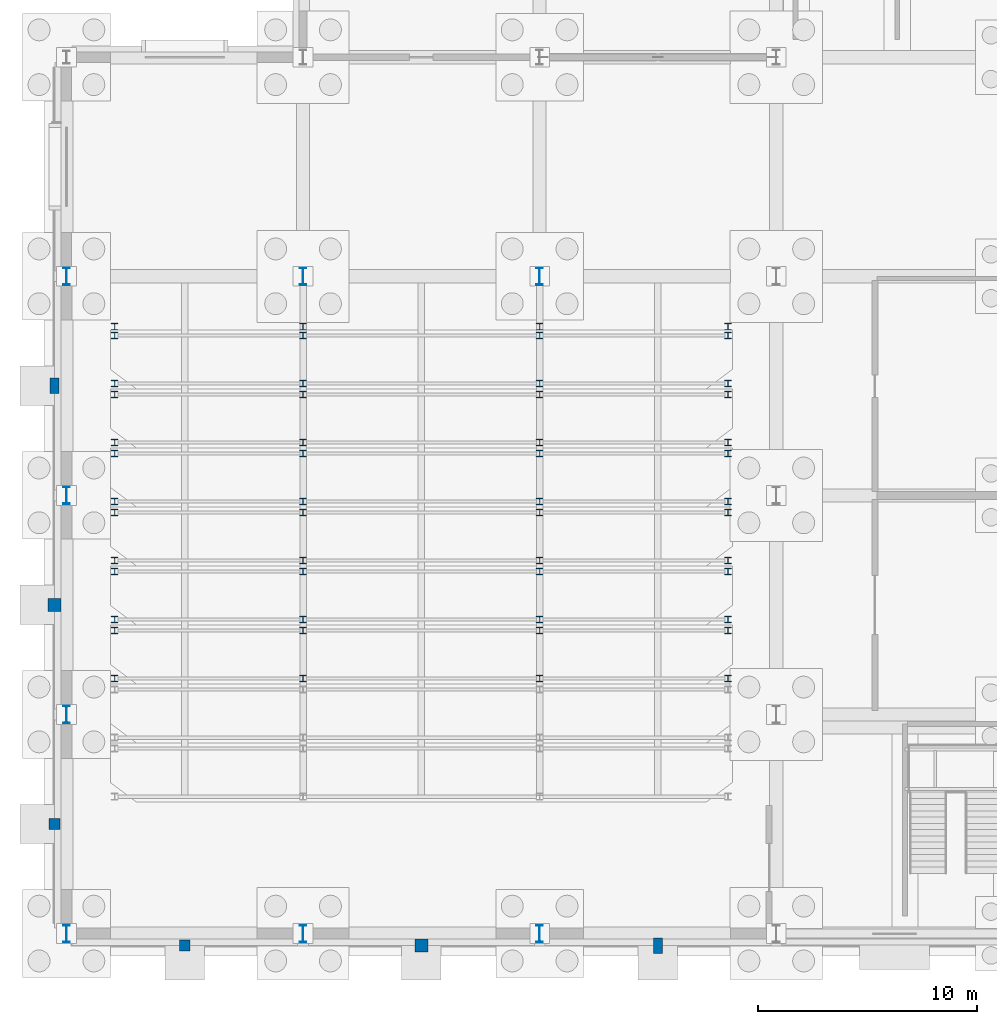
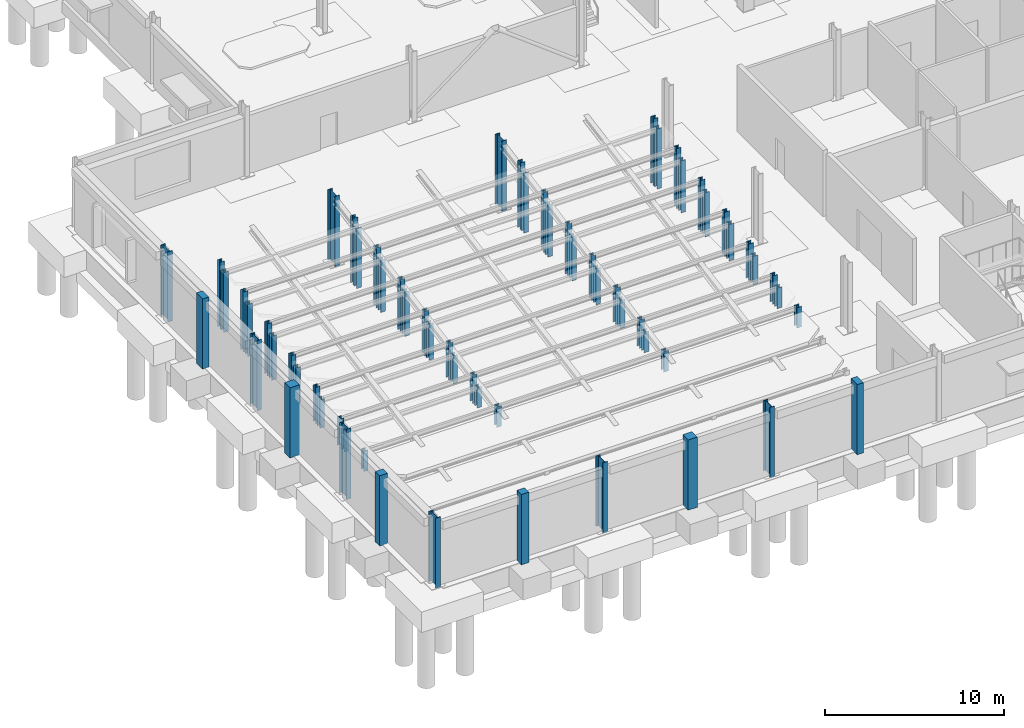
# One storey, part 8 of 73: 66 columns.
"""IFC4 building model written with IfcOpenShell, lengths in metres."""

from ifc_helpers import new_model, si_unit, direction, frame, origin, origin_2d, place, context, subcontext, project, spatial, rectangle, i_section, extrude, material, material_profile, profile_set, type_object, element, save


model = new_model("IFC4")

# Units and contexts
model_context = context("Model", 3, precision=1e-05, world=origin(), true_north=direction((0.0, 1.0)))
body_context = subcontext(model_context, "Body", "Model", "MODEL_VIEW")
ifc_project = project(units=[si_unit("LENGTHUNIT", "METRE"), si_unit("AREAUNIT", "SQUARE_METRE"), si_unit("VOLUMEUNIT", "CUBIC_METRE"), si_unit("PLANEANGLEUNIT", "RADIAN"), si_unit("MASSUNIT", "GRAM", prefix="KILO")], contexts=[model_context])

# Site, building, storey
site_placement = place(None, origin())
site = spatial("IfcSite", under=ifc_project, at=site_placement, CompositionType="ELEMENT")
building_placement = place(site_placement, origin())
building = spatial("IfcBuilding", under=site, at=building_placement, Name="Tasgan Crest Museum", CompositionType="ELEMENT")
storey_placement = place(building_placement, origin())
storey = spatial("IfcBuildingStorey", under=building, at=storey_placement, Name="L00", CompositionType="ELEMENT", Elevation=0.0)

# Columns
ifc_material_1 = material(Name="Steel S355J2", Category="steel")
ifc_material_profile_1 = material_profile(ifc_material_1, i_section(OverallWidth=0.300048828125, OverallDepth=0.300048828125, WebThickness=0.010986328125, FlangeThickness=0.01904296875, FilletRadius=0.027099609375, at=origin_2d()), Name="HEB 300")
ifc_profile_set_1 = profile_set([ifc_material_profile_1], Name="Steel S355J2")
column_type_1 = type_object("IfcColumnType", Name="COL-HEB300", PredefinedType="COLUMN", material=ifc_profile_set_1)
for number, where, z_axis, x_axis, name in (
    (1, (2.199951171875, 27.699951171875, 0.0), (0.0, 0.0, 1.0), (1.0, 0.0, 0.0), "Auditorium balcony support post X=2.2"),
    (2, (10.800048828125, 27.699951171875, 0.0), (0.0, 0.0, 1.0), (1.0, 0.0, 0.0), "Auditorium balcony support post X=10.8"),
    (3, (21.60009765625, 27.699951171875, 0.0), (0.0, 0.0, 1.0), (1.0, 0.0, 0.0), "Auditorium balcony support post X=21.6"),
    (4, (30.199951171875, 27.699951171875, 0.0), (0.0, 0.0, 1.0), (1.0, 0.0, 0.0), "Auditorium balcony support post X=30.2"),
):
    element("IfcColumn", number, at=place(storey_placement, frame(where, z_axis=z_axis, x_axis=x_axis)), inside=storey, type_object=column_type_1, Name=name, PredefinedType="COLUMN", context=body_context, shape_type="SweptSolid", body=[
        extrude(i_section(OverallWidth=0.300048828125, OverallDepth=0.300048828125, WebThickness=0.010986328125, FlangeThickness=0.01904296875, FilletRadius=0.027099609375, at=origin_2d()), origin(), (0.0, 0.0, 1.0), 4.56005859375),
    ])
for number, where, z_axis, x_axis, name in (
    (5, (2.199951171875, 11.637451171875, 0.0), (0.0, 0.0, 1.0), (1.0, 0.0, 0.0), "Auditorium tier support post T3 F X=2.2"),
    (6, (10.800048828125, 11.637451171875, 0.0), (0.0, 0.0, 1.0), (1.0, 0.0, 0.0), "Auditorium tier support post T3 F X=10.8"),
    (7, (21.60009765625, 11.637451171875, 0.0), (0.0, 0.0, 1.0), (1.0, 0.0, 0.0), "Auditorium tier support post T3 F X=21.6"),
    (8, (30.199951171875, 11.637451171875, 0.0), (0.0, 0.0, 1.0), (1.0, 0.0, 0.0), "Auditorium tier support post T3 F X=30.2"),
    (9, (2.199951171875, 13.831298828125, 0.0), (0.0, 0.0, 1.0), (1.0, 0.0, 0.0), "Auditorium tier support post T3 B X=2.2"),
    (10, (10.800048828125, 13.831298828125, 0.0), (0.0, 0.0, 1.0), (1.0, 0.0, 0.0), "Auditorium tier support post T3 B X=10.8"),
    (11, (21.60009765625, 13.831298828125, 0.0), (0.0, 0.0, 1.0), (1.0, 0.0, 0.0), "Auditorium tier support post T3 B X=21.6"),
    (12, (30.199951171875, 13.831298828125, 0.0), (0.0, 0.0, 1.0), (1.0, 0.0, 0.0), "Auditorium tier support post T3 B X=30.2"),
):
    element("IfcColumn", number, at=place(storey_placement, frame(where, z_axis=z_axis, x_axis=x_axis)), inside=storey, type_object=column_type_1, Name=name, PredefinedType="COLUMN", context=body_context, shape_type="SweptSolid", body=[
        extrude(i_section(OverallWidth=0.300048828125, OverallDepth=0.300048828125, WebThickness=0.010986328125, FlangeThickness=0.01904296875, FilletRadius=0.027099609375, at=origin_2d()), origin(), (0.0, 0.0, 1.0), 1.39990234375),
    ])
for number, where, z_axis, x_axis, name in (
    (13, (2.199951171875, 14.331298828125, 0.0), (0.0, 0.0, 1.0), (1.0, 0.0, 0.0), "Auditorium tier support post T4 F X=2.2"),
    (14, (10.800048828125, 14.331298828125, 0.0), (0.0, 0.0, 1.0), (1.0, 0.0, 0.0), "Auditorium tier support post T4 F X=10.8"),
    (15, (21.60009765625, 14.331298828125, 0.0), (0.0, 0.0, 1.0), (1.0, 0.0, 0.0), "Auditorium tier support post T4 F X=21.6"),
    (16, (30.199951171875, 14.331298828125, 0.0), (0.0, 0.0, 1.0), (1.0, 0.0, 0.0), "Auditorium tier support post T4 F X=30.2"),
    (17, (2.199951171875, 16.52490234375, 0.0), (0.0, 0.0, 1.0), (1.0, 0.0, 0.0), "Auditorium tier support post T4 B X=2.2"),
    (18, (10.800048828125, 16.52490234375, 0.0), (0.0, 0.0, 1.0), (1.0, 0.0, 0.0), "Auditorium tier support post T4 B X=10.8"),
    (19, (21.60009765625, 16.52490234375, 0.0), (0.0, 0.0, 1.0), (1.0, 0.0, 0.0), "Auditorium tier support post T4 B X=21.6"),
    (20, (30.199951171875, 16.52490234375, 0.0), (0.0, 0.0, 1.0), (1.0, 0.0, 0.0), "Auditorium tier support post T4 B X=30.2"),
):
    element("IfcColumn", number, at=place(storey_placement, frame(where, z_axis=z_axis, x_axis=x_axis)), inside=storey, type_object=column_type_1, Name=name, PredefinedType="COLUMN", context=body_context, shape_type="SweptSolid", body=[
        extrude(i_section(OverallWidth=0.300048828125, OverallDepth=0.300048828125, WebThickness=0.010986328125, FlangeThickness=0.01904296875, FilletRadius=0.027099609375, at=origin_2d()), origin(), (0.0, 0.0, 1.0), 1.93994140625),
    ])
for number, where, z_axis, x_axis, name in (
    (21, (2.199951171875, 17.02490234375, 0.0), (0.0, 0.0, 1.0), (1.0, 0.0, 0.0), "Auditorium tier support post T5 F X=2.2"),
    (22, (10.800048828125, 17.02490234375, 0.0), (0.0, 0.0, 1.0), (1.0, 0.0, 0.0), "Auditorium tier support post T5 F X=10.8"),
    (23, (21.60009765625, 17.02490234375, 0.0), (0.0, 0.0, 1.0), (1.0, 0.0, 0.0), "Auditorium tier support post T5 F X=21.6"),
    (24, (30.199951171875, 17.02490234375, 0.0), (0.0, 0.0, 1.0), (1.0, 0.0, 0.0), "Auditorium tier support post T5 F X=30.2"),
    (25, (2.199951171875, 19.21875, 0.0), (0.0, 0.0, 1.0), (1.0, 0.0, 0.0), "Auditorium tier support post T5 B X=2.2"),
    (26, (10.800048828125, 19.21875, 0.0), (0.0, 0.0, 1.0), (1.0, 0.0, 0.0), "Auditorium tier support post T5 B X=10.8"),
    (27, (21.60009765625, 19.21875, 0.0), (0.0, 0.0, 1.0), (1.0, 0.0, 0.0), "Auditorium tier support post T5 B X=21.6"),
    (28, (30.199951171875, 19.21875, 0.0), (0.0, 0.0, 1.0), (1.0, 0.0, 0.0), "Auditorium tier support post T5 B X=30.2"),
):
    element("IfcColumn", number, at=place(storey_placement, frame(where, z_axis=z_axis, x_axis=x_axis)), inside=storey, type_object=column_type_1, Name=name, PredefinedType="COLUMN", context=body_context, shape_type="SweptSolid", body=[
        extrude(i_section(OverallWidth=0.300048828125, OverallDepth=0.300048828125, WebThickness=0.010986328125, FlangeThickness=0.01904296875, FilletRadius=0.027099609375, at=origin_2d()), origin(), (0.0, 0.0, 1.0), 2.47998046875),
    ])
for number, where, z_axis, x_axis, name in (
    (29, (2.199951171875, 19.71875, 0.0), (0.0, 0.0, 1.0), (1.0, 0.0, 0.0), "Auditorium tier support post T6 F X=2.2"),
    (30, (10.800048828125, 19.71875, 0.0), (0.0, 0.0, 1.0), (1.0, 0.0, 0.0), "Auditorium tier support post T6 F X=10.8"),
    (31, (21.60009765625, 19.71875, 0.0), (0.0, 0.0, 1.0), (1.0, 0.0, 0.0), "Auditorium tier support post T6 F X=21.6"),
    (32, (30.199951171875, 19.71875, 0.0), (0.0, 0.0, 1.0), (1.0, 0.0, 0.0), "Auditorium tier support post T6 F X=30.2"),
    (33, (2.199951171875, 21.91259765625, 0.0), (0.0, 0.0, 1.0), (1.0, 0.0, 0.0), "Auditorium tier support post T6 B X=2.2"),
    (34, (10.800048828125, 21.91259765625, 0.0), (0.0, 0.0, 1.0), (1.0, 0.0, 0.0), "Auditorium tier support post T6 B X=10.8"),
    (35, (21.60009765625, 21.91259765625, 0.0), (0.0, 0.0, 1.0), (1.0, 0.0, 0.0), "Auditorium tier support post T6 B X=21.6"),
    (36, (30.199951171875, 21.91259765625, 0.0), (0.0, 0.0, 1.0), (1.0, 0.0, 0.0), "Auditorium tier support post T6 B X=30.2"),
):
    element("IfcColumn", number, at=place(storey_placement, frame(where, z_axis=z_axis, x_axis=x_axis)), inside=storey, type_object=column_type_1, Name=name, PredefinedType="COLUMN", context=body_context, shape_type="SweptSolid", body=[
        extrude(i_section(OverallWidth=0.300048828125, OverallDepth=0.300048828125, WebThickness=0.010986328125, FlangeThickness=0.01904296875, FilletRadius=0.027099609375, at=origin_2d()), origin(), (0.0, 0.0, 1.0), 3.02001953125),
    ])
for number, where, z_axis, x_axis, name in (
    (37, (2.199951171875, 22.41259765625, 0.0), (0.0, 0.0, 1.0), (1.0, 0.0, 0.0), "Auditorium tier support post T7 F X=2.2"),
    (38, (10.800048828125, 22.41259765625, 0.0), (0.0, 0.0, 1.0), (1.0, 0.0, 0.0), "Auditorium tier support post T7 F X=10.8"),
    (39, (21.60009765625, 22.41259765625, 0.0), (0.0, 0.0, 1.0), (1.0, 0.0, 0.0), "Auditorium tier support post T7 F X=21.6"),
    (40, (30.199951171875, 22.41259765625, 0.0), (0.0, 0.0, 1.0), (1.0, 0.0, 0.0), "Auditorium tier support post T7 F X=30.2"),
    (41, (2.199951171875, 24.606201171875, 0.0), (0.0, 0.0, 1.0), (1.0, 0.0, 0.0), "Auditorium tier support post T7 B X=2.2"),
    (42, (10.800048828125, 24.606201171875, 0.0), (0.0, 0.0, 1.0), (1.0, 0.0, 0.0), "Auditorium tier support post T7 B X=10.8"),
    (43, (21.60009765625, 24.606201171875, 0.0), (0.0, 0.0, 1.0), (1.0, 0.0, 0.0), "Auditorium tier support post T7 B X=21.6"),
    (44, (30.199951171875, 24.606201171875, 0.0), (0.0, 0.0, 1.0), (1.0, 0.0, 0.0), "Auditorium tier support post T7 B X=30.2"),
):
    element("IfcColumn", number, at=place(storey_placement, frame(where, z_axis=z_axis, x_axis=x_axis)), inside=storey, type_object=column_type_1, Name=name, PredefinedType="COLUMN", context=body_context, shape_type="SweptSolid", body=[
        extrude(i_section(OverallWidth=0.300048828125, OverallDepth=0.300048828125, WebThickness=0.010986328125, FlangeThickness=0.01904296875, FilletRadius=0.027099609375, at=origin_2d()), origin(), (0.0, 0.0, 1.0), 3.56005859375),
    ])
for number, where, z_axis, x_axis, name in (
    (45, (2.199951171875, 25.106201171875, 0.0), (0.0, 0.0, 1.0), (1.0, 0.0, 0.0), "Auditorium tier support post T8 F X=2.2"),
    (46, (10.800048828125, 25.106201171875, 0.0), (0.0, 0.0, 1.0), (1.0, 0.0, 0.0), "Auditorium tier support post T8 F X=10.8"),
    (47, (21.60009765625, 25.106201171875, 0.0), (0.0, 0.0, 1.0), (1.0, 0.0, 0.0), "Auditorium tier support post T8 F X=21.6"),
    (48, (30.199951171875, 25.106201171875, 0.0), (0.0, 0.0, 1.0), (1.0, 0.0, 0.0), "Auditorium tier support post T8 F X=30.2"),
    (49, (2.199951171875, 27.300048828125, 0.0), (0.0, 0.0, 1.0), (1.0, 0.0, 0.0), "Auditorium tier support post T8 B X=2.2"),
    (50, (10.800048828125, 27.300048828125, 0.0), (0.0, 0.0, 1.0), (1.0, 0.0, 0.0), "Auditorium tier support post T8 B X=10.8"),
    (51, (21.60009765625, 27.300048828125, 0.0), (0.0, 0.0, 1.0), (1.0, 0.0, 0.0), "Auditorium tier support post T8 B X=21.6"),
    (52, (30.199951171875, 27.300048828125, 0.0), (0.0, 0.0, 1.0), (1.0, 0.0, 0.0), "Auditorium tier support post T8 B X=30.2"),
):
    element("IfcColumn", number, at=place(storey_placement, frame(where, z_axis=z_axis, x_axis=x_axis)), inside=storey, type_object=column_type_1, Name=name, PredefinedType="COLUMN", context=body_context, shape_type="SweptSolid", body=[
        extrude(i_section(OverallWidth=0.300048828125, OverallDepth=0.300048828125, WebThickness=0.010986328125, FlangeThickness=0.01904296875, FilletRadius=0.027099609375, at=origin_2d()), origin(), (0.0, 0.0, 1.0), 4.10009765625),
    ])
ifc_material_2 = material(Name="Steel S355K2", Category="steel")
ifc_material_profile_2 = material_profile(ifc_material_2, i_section(OverallWidth=0.300048828125, OverallDepth=0.800048828125, WebThickness=0.017578125, FlangeThickness=0.032958984375, FilletRadius=0.030029296875, at=origin_2d()), Name="HEB 800")
ifc_profile_set_2 = profile_set([ifc_material_profile_2], Name="Steel S355K2")
column_type_2 = type_object("IfcColumnType", Name="COL-HEB800", PredefinedType="COLUMN", material=ifc_profile_set_2)
for number, where, z_axis, x_axis, name in (
    (53, (0.0, 0.0, 0.0), (0.0, 0.0, 1.0), (1.0, 0.0, 0.0), "Column 1/A L00"),
    (54, (0.0, 10.0, 0.0), (0.0, 0.0, 1.0), (1.0, 0.0, 0.0), "Column 1/B L00"),
    (55, (0.0, 20.0, 0.0), (0.0, 0.0, 1.0), (1.0, 0.0, 0.0), "Column 1/C L00"),
    (56, (0.0, 30.0, 0.0), (0.0, 0.0, 1.0), (1.0, 0.0, 0.0), "Column 1/D L00"),
    (57, (10.800048828125, 0.0, 0.0), (0.0, 0.0, 1.0), (1.0, 0.0, 0.0), "Column 2/A L00"),
    (58, (10.800048828125, 30.0, 0.0), (0.0, 0.0, 1.0), (1.0, 0.0, 0.0), "Column 2/D L00"),
    (59, (21.60009765625, 0.0, 0.0), (0.0, 0.0, 1.0), (1.0, 0.0, 0.0), "Column 3/A L00"),
    (60, (21.60009765625, 30.0, 0.0), (0.0, 0.0, 1.0), (1.0, 0.0, 0.0), "Column 3/D L00"),
):
    element("IfcColumn", number, at=place(storey_placement, frame(where, z_axis=z_axis, x_axis=x_axis)), inside=storey, type_object=column_type_2, Name=name, PredefinedType="COLUMN", context=body_context, shape_type="SweptSolid", body=[
        extrude(i_section(OverallWidth=0.300048828125, OverallDepth=0.800048828125, WebThickness=0.017578125, FlangeThickness=0.032958984375, FilletRadius=0.030029296875, at=origin_2d()), origin(), (0.0, 0.0, 1.0), 4.800048828125),
    ])
ifc_material_3 = material(Name="Precast concrete C40/50", Category="concrete")
ifc_material_profile_3 = material_profile(ifc_material_3, rectangle(XDim=0.5, YDim=0.5, at=origin_2d()), Name="RC 500x500")
ifc_profile_set_3 = profile_set([ifc_material_profile_3], Name="Precast concrete C40/50")
column_type_3 = type_object("IfcColumnType", Name="COL-PILASTER-1", PredefinedType="PILASTER", material=ifc_profile_set_3)
for number, where, z_axis, x_axis, name in (
    (61, (5.39990234375, -0.550048828125, 0.0), (0.0, 0.0, 1.0), (1.0, 0.0, 0.0), "Stone facade pilaster L00-01"),
    (62, (-0.550048828125, 5.0, 0.0), (0.0, 0.0, 1.0), (1.0, 0.0, 0.0), "Stone facade pilaster L00-04"),
):
    element("IfcColumn", number, at=place(storey_placement, frame(where, z_axis=z_axis, x_axis=x_axis)), inside=storey, type_object=column_type_3, Name=name, PredefinedType="PILASTER", context=body_context, shape_type="SweptSolid", body=[
        extrude(rectangle(XDim=0.5, YDim=0.5, at=origin_2d()), origin(), (0.0, 0.0, 1.0), 4.800048828125),
    ])
ifc_material_4 = material(Name="Precast concrete C40/50", Category="concrete")
ifc_material_profile_4 = material_profile(ifc_material_4, rectangle(XDim=0.60009765625, YDim=0.60009765625, at=origin_2d()), Name="RC 600x600")
ifc_profile_set_4 = profile_set([ifc_material_profile_4], Name="Precast concrete C40/50")
column_type_4 = type_object("IfcColumnType", Name="COL-PILASTER-2", PredefinedType="PILASTER", material=ifc_profile_set_4)
for number, where, z_axis, x_axis, name in (
    (63, (16.199951171875, -0.550048828125, 0.0), (0.0, 0.0, 1.0), (1.0, 0.0, 0.0), "Stone facade pilaster L00-02"),
    (64, (-0.550048828125, 15.0, 0.0), (0.0, 0.0, 1.0), (1.0, 0.0, 0.0), "Stone facade pilaster L00-05"),
):
    element("IfcColumn", number, at=place(storey_placement, frame(where, z_axis=z_axis, x_axis=x_axis)), inside=storey, type_object=column_type_4, Name=name, PredefinedType="PILASTER", context=body_context, shape_type="SweptSolid", body=[
        extrude(rectangle(XDim=0.60009765625, YDim=0.60009765625, at=origin_2d()), origin(), (0.0, 0.0, 1.0), 4.800048828125),
    ])
ifc_material_5 = material(Name="Precast concrete C40/50", Category="concrete")
ifc_material_profile_5 = material_profile(ifc_material_5, rectangle(XDim=0.39990234375, YDim=0.699951171875, at=origin_2d()), Name="RC 400x700")
ifc_profile_set_5 = profile_set([ifc_material_profile_5], Name="Precast concrete C40/50")
column_type_5 = type_object("IfcColumnType", Name="COL-PILASTER-3", PredefinedType="PILASTER", material=ifc_profile_set_5)
for number, where, z_axis, x_axis, name in (
    (65, (27.0, -0.550048828125, 0.0), (0.0, 0.0, 1.0), (1.0, 0.0, 0.0), "Stone facade pilaster L00-03"),
    (66, (-0.550048828125, 25.0, 0.0), (0.0, 0.0, 1.0), (1.0, 0.0, 0.0), "Stone facade pilaster L00-06"),
):
    element("IfcColumn", number, at=place(storey_placement, frame(where, z_axis=z_axis, x_axis=x_axis)), inside=storey, type_object=column_type_5, Name=name, PredefinedType="PILASTER", context=body_context, shape_type="SweptSolid", body=[
        extrude(rectangle(XDim=0.39990234375, YDim=0.699951171875, at=origin_2d()), origin(), (0.0, 0.0, 1.0), 4.800048828125),
    ])

save(model, "model.ifc")
